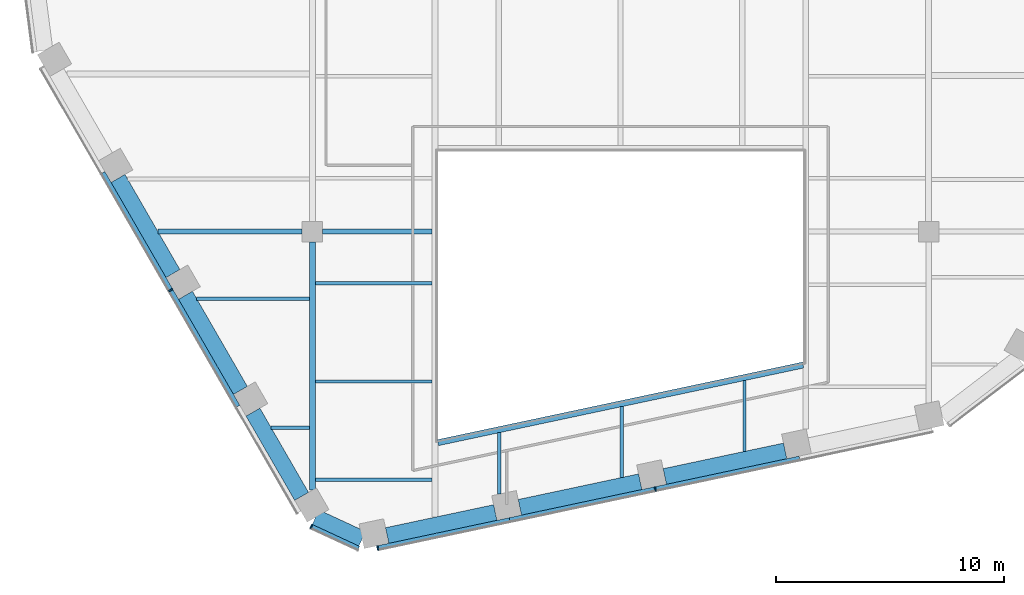
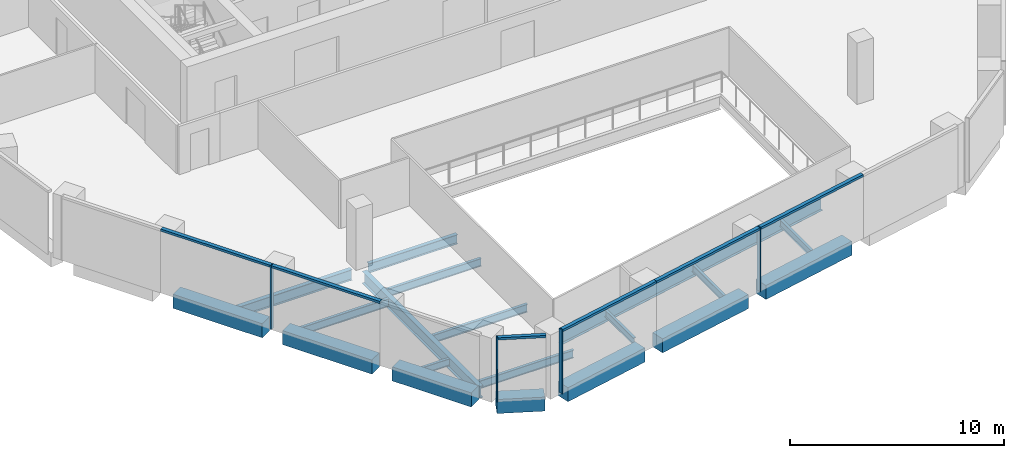
# One storey, part 2 of 15: 19 beams, 10 members, 3 elements without a shape of their own.
"""IFC4 building model written with IfcOpenShell, lengths in metres."""

from ifc_helpers import new_model, si_unit, direction, frame, origin, origin_2d, place, context, subcontext, project, spatial, rectangle, i_section, extrude, material, layer, layer_set, material_profile, profile_set, type_object, element, aggregate, save


model = new_model("IFC4")

# Units and contexts
model_context = context("Model", 3, precision=1e-05, world=origin(), true_north=direction((0.0, 1.0)))
body_context = subcontext(model_context, "Body", "Model", "MODEL_VIEW")
ifc_project = project(units=[si_unit("LENGTHUNIT", "METRE"), si_unit("AREAUNIT", "SQUARE_METRE"), si_unit("VOLUMEUNIT", "CUBIC_METRE"), si_unit("PLANEANGLEUNIT", "RADIAN"), si_unit("MASSUNIT", "GRAM", prefix="KILO")], contexts=[model_context])

# Site, building, storey
site_placement = place(None, origin())
site = spatial("IfcSite", under=ifc_project, at=site_placement, CompositionType="ELEMENT")
building_placement = place(site_placement, origin())
building = spatial("IfcBuilding", under=site, at=building_placement, Name="Isthmus Gate Tower", CompositionType="ELEMENT")
storey_placement = place(building_placement, frame((0.0, 0.0, 230.89990234375)))
storey = spatial("IfcBuildingStorey", under=building, at=storey_placement, Name="L58", CompositionType="ELEMENT", Elevation=230.89990234375)

# Curtain wall, member
ifc_material_1 = material(Name="Aluminium, pale champagne anodised", Category="aluminium")
ifc_layer = layer(ifc_material_1, 0.199951171875)
ifc_layer_set = layer_set([ifc_layer], Name="CW-1 UNITISED CURTAIN WALL 200 DEEP")
curtain_wall_type = type_object("IfcCurtainWallType", Name="CW-1 UNITISED CURTAIN WALL 200 DEEP", PredefinedType="NOTDEFINED", material=ifc_layer_set)
curtain_wall_1_placement = place(storey_placement, origin())
curtain_wall_1 = element("IfcCurtainWall", 1, at=curtain_wall_1_placement, inside=storey, type_object=curtain_wall_type, Name="CW-1 SW L58", PredefinedType="NOTDEFINED")
ifc_material_2 = material(Name="Aluminium, pale champagne anodised", Category="aluminium")
ifc_material_profile_1 = material_profile(ifc_material_2, rectangle(XDim=0.06005859375, YDim=0.199951171875, at=origin_2d()), Name="60x200")
ifc_profile_set_1 = profile_set([ifc_material_profile_1], Name="Aluminium, pale champagne anodised")
member_type_1 = type_object("IfcMemberType", Name="CW-1 MULLION 60 X 200", PredefinedType="MULLION", material=ifc_profile_set_1)
member_1_placement = place(storey_placement, frame((-19.707275390625, -16.066162109375, 0.0), z_axis=(0.0, 0.0, 1.0), x_axis=(0.5, -0.866025403784, 0.0)))
member_1 = element("IfcMember", 2, at=member_1_placement, type_object=member_type_1, Name="CW-1 mullion", PredefinedType="MULLION", context=body_context, shape_type="SweptSolid", body=[
    extrude(rectangle(XDim=0.06005859375, YDim=0.199951171875, at=origin_2d()), origin(), (0.0, 0.0, 1.0), 3.650146484375),
])

curtain_wall_2_placement = place(storey_placement, origin())
curtain_wall_2 = element("IfcCurtainWall", 3, at=curtain_wall_2_placement, inside=storey, type_object=curtain_wall_type, Name="CW-1 SW-S L58", PredefinedType="NOTDEFINED")
member_2_placement = place(storey_placement, frame((-13.54833984375, -26.419677734375, 0.0), z_axis=(0.0, 0.0, 1.0), x_axis=(0.907256261367, -0.420578264073, 0.0)))
member_2 = element("IfcMember", 4, at=member_2_placement, type_object=member_type_1, Name="CW-1 mullion", PredefinedType="MULLION", context=body_context, shape_type="SweptSolid", body=[
    extrude(rectangle(XDim=0.06005859375, YDim=0.199951171875, at=origin_2d()), origin(), (0.0, 0.0, 1.0), 3.650146484375),
])

# Curtain wall, members
curtain_wall_3_placement = place(storey_placement, origin())
curtain_wall_3 = element("IfcCurtainWall", 5, at=curtain_wall_3_placement, inside=storey, type_object=curtain_wall_type, Name="CW-1 S L58", PredefinedType="NOTDEFINED")
member_3_placement = place(storey_placement, frame((-10.6376953125, -27.36328125, 0.0), z_axis=(0.0, 0.0, 1.0), x_axis=(0.978147600734, 0.207911690818, 0.0)))
member_3 = element("IfcMember", 6, at=member_3_placement, type_object=member_type_1, Name="CW-1 mullion", PredefinedType="MULLION", context=body_context, shape_type="SweptSolid", body=[
    extrude(rectangle(XDim=0.06005859375, YDim=0.199951171875, at=origin_2d()), origin(), (0.0, 0.0, 1.0), 3.650146484375),
])
member_4_placement = place(storey_placement, frame((1.5244140625, -24.7783203125, 0.0), z_axis=(0.0, 0.0, 1.0), x_axis=(0.978147600734, 0.207911690818, 0.0)))
member_4 = element("IfcMember", 7, at=member_4_placement, type_object=member_type_1, Name="CW-1 mullion", PredefinedType="MULLION", context=body_context, shape_type="SweptSolid", body=[
    extrude(rectangle(XDim=0.06005859375, YDim=0.199951171875, at=origin_2d()), origin(), (0.0, 0.0, 1.0), 3.650146484375),
])

# Member
ifc_material_3 = material(Name="Aluminium, pale champagne anodised", Category="aluminium")
ifc_material_profile_2 = material_profile(ifc_material_3, rectangle(XDim=0.199951171875, YDim=0.1298828125, at=origin_2d()), Name="200x130")
ifc_profile_set_2 = profile_set([ifc_material_profile_2], Name="Aluminium, pale champagne anodised")
member_type_2 = type_object("IfcMemberType", Name="CW-1 TRANSOM 200 X 130", PredefinedType="USERDEFINED", material=ifc_profile_set_2)
member_5_placement = place(storey_placement, frame((-22.677490234375, -10.92138671875, 3.585205078125), z_axis=(0.500008496284, -0.866020498397, 0.0), x_axis=(0.866020498397, 0.500008496284, 0.0)))
member_5 = element("IfcMember", 8, at=member_5_placement, type_object=member_type_2, Name="CW-1 transom", ObjectType="TRANSOM", PredefinedType="USERDEFINED", context=body_context, shape_type="SweptSolid", body=[
    extrude(rectangle(XDim=0.199951171875, YDim=0.1298828125, at=origin_2d()), origin(), (0.0, 0.0, 1.0), 5.91064453125),
])

member_6_placement = place(storey_placement, frame((-19.692138671875, -16.092041015625, 3.585205078125), z_axis=(0.49998975084, -0.866031321059, 0.0), x_axis=(0.866031321059, 0.49998975084, 0.0)))
member_6 = element("IfcMember", 9, at=member_6_placement, type_object=member_type_2, Name="CW-1 transom", ObjectType="TRANSOM", PredefinedType="USERDEFINED", context=body_context, shape_type="SweptSolid", body=[
    extrude(rectangle(XDim=0.199951171875, YDim=0.1298828125, at=origin_2d()), origin(), (0.0, 0.0, 1.0), 5.8505859375),
])

aggregate(curtain_wall_1, [member_5, member_1, member_6])

member_7_placement = place(storey_placement, frame((-13.521240234375, -26.432373046875, 3.585205078125), z_axis=(0.907246225564, -0.420599912268, 0.0), x_axis=(0.420599912268, 0.907246225564, 0.0)))
member_7 = element("IfcMember", 10, at=member_7_placement, type_object=member_type_2, Name="CW-1 transom", ObjectType="TRANSOM", PredefinedType="USERDEFINED", context=body_context, shape_type="SweptSolid", body=[
    extrude(rectangle(XDim=0.199951171875, YDim=0.1298828125, at=origin_2d()), origin(), (0.0, 0.0, 1.0), 2.258544921875),
])

aggregate(curtain_wall_2, [member_2, member_7])

member_8_placement = place(storey_placement, frame((-10.6083984375, -27.357177734375, 3.585205078125), z_axis=(0.978148511799, 0.207907404549, 0.0), x_axis=(-0.207907404549, 0.978148511799, 0.0)))
member_8 = element("IfcMember", 11, at=member_8_placement, type_object=member_type_2, Name="CW-1 transom", ObjectType="TRANSOM", PredefinedType="USERDEFINED", context=body_context, shape_type="SweptSolid", body=[
    extrude(rectangle(XDim=0.199951171875, YDim=0.1298828125, at=origin_2d()), origin(), (0.0, 0.0, 1.0), 5.8818359375),
])

member_9_placement = place(storey_placement, frame((-4.85498046875, -26.13427734375, 3.585205078125), z_axis=(0.978142886198, 0.207933869729, 0.0), x_axis=(-0.207933869729, 0.978142886198, 0.0)))
member_9 = element("IfcMember", 12, at=member_9_placement, type_object=member_type_2, Name="CW-1 transom", ObjectType="TRANSOM", PredefinedType="USERDEFINED", context=body_context, shape_type="SweptSolid", body=[
    extrude(rectangle(XDim=0.199951171875, YDim=0.1298828125, at=origin_2d()), origin(), (0.0, 0.0, 1.0), 6.49169921875),
])

member_10_placement = place(storey_placement, frame((1.5537109375, -24.77197265625, 3.585205078125), z_axis=(0.978150457162, 0.207898251926, 0.0), x_axis=(-0.207898251926, 0.978150457162, 0.0)))
member_10 = element("IfcMember", 13, at=member_10_placement, type_object=member_type_2, Name="CW-1 transom", ObjectType="TRANSOM", PredefinedType="USERDEFINED", context=body_context, shape_type="SweptSolid", body=[
    extrude(rectangle(XDim=0.199951171875, YDim=0.1298828125, at=origin_2d()), origin(), (0.0, 0.0, 1.0), 6.431884765625),
])

aggregate(curtain_wall_3, [member_3, member_8, member_9, member_4, member_10])

# Beams
ifc_material_4 = material(Name="Concrete f'c 50 MPa", Category="concrete")
ifc_material_profile_3 = material_profile(ifc_material_4, rectangle(XDim=0.699951171875, YDim=0.800048828125, at=origin_2d()), Name="RC 700X800")
ifc_profile_set_3 = profile_set([ifc_material_profile_3], Name="Concrete f'c 50 MPa")
beam_type_1 = type_object("IfcBeamType", Name="RC SPANDREL 700 X 800", PredefinedType="SPANDREL", material=ifc_profile_set_3)
for number, where, z_axis, x_axis, name in (
    (14, (7.21337890625, -23.10888671875, -0.39990234375), (-0.978144348563, -0.207926990492, 0.0), (0.207926990492, -0.978144348563, 0.0), "str-spandrel-L58-12"),
    (15, (0.863525390625, -24.458740234375, -0.39990234375), (-0.978155513612, -0.207874460167, 0.0), (0.207874460167, -0.978155513612, 0.0), "str-spandrel-L58-13"),
):
    element("IfcBeam", number, at=place(storey_placement, frame(where, z_axis=z_axis, x_axis=x_axis)), inside=storey, type_object=beam_type_1, Name=name, PredefinedType="SPANDREL", context=body_context, shape_type="SweptSolid", body=[
        extrude(rectangle(XDim=0.699951171875, YDim=0.800048828125, at=origin_2d()), origin(), (0.0, 0.0, 1.0), 5.391845703125),
    ])
beam_1_placement = place(storey_placement, frame((-5.486572265625, -25.808349609375, -0.39990234375), z_axis=(-0.978141291228, -0.207941372495, 0.0), x_axis=(0.207941372495, -0.978141291228, 0.0)))
element("IfcBeam", 16, at=beam_1_placement, inside=storey, type_object=beam_type_1, Name="str-spandrel-L58-14", PredefinedType="SPANDREL", context=body_context, shape_type="SweptSolid", body=[
    extrude(rectangle(XDim=0.699951171875, YDim=0.800048828125, at=origin_2d()), origin(), (0.0, 0.0, 1.0), 4.842041015625),
])
beam_2_placement = place(storey_placement, frame((-11.31689453125, -26.958251953125, -0.39990234375), z_axis=(-0.907254968276, 0.42058105347, 0.0), x_axis=(-0.42058105347, -0.907254968276, 0.0)))
element("IfcBeam", 17, at=beam_2_placement, inside=storey, type_object=beam_type_1, Name="str-spandrel-L58-15", PredefinedType="SPANDREL", context=body_context, shape_type="SweptSolid", body=[
    extrude(rectangle(XDim=0.699951171875, YDim=0.800048828125, at=origin_2d()), origin(), (0.0, 0.0, 1.0), 2.245849609375),
])
beam_3_placement = place(storey_placement, frame((-13.971923828125, -25.10009765625, -0.39990234375), z_axis=(-0.499996907167, 0.866027189425, 0.0), x_axis=(-0.866027189425, -0.499996907167, 0.0)))
element("IfcBeam", 18, at=beam_3_placement, inside=storey, type_object=beam_type_1, Name="str-spandrel-L58-16", PredefinedType="SPANDREL", context=body_context, shape_type="SweptSolid", body=[
    extrude(rectangle(XDim=0.699951171875, YDim=0.800048828125, at=origin_2d()), origin(), (0.0, 0.0, 1.0), 4.2607421875),
])
for number, where, z_axis, x_axis, name in (
    (19, (-16.652099609375, -20.45751953125, -0.39990234375), (-0.500003616288, 0.866023315909, 0.0), (-0.866023315909, -0.500003616288, 0.0), "str-spandrel-L58-17"),
    (20, (-19.607421875, -15.3388671875, -0.39990234375), (-0.500003616288, 0.866023315909, 0.0), (-0.866023315909, -0.500003616288, 0.0), "str-spandrel-L58-18"),
):
    element("IfcBeam", number, at=place(storey_placement, frame(where, z_axis=z_axis, x_axis=x_axis)), inside=storey, type_object=beam_type_1, Name=name, PredefinedType="SPANDREL", context=body_context, shape_type="SweptSolid", body=[
        extrude(rectangle(XDim=0.699951171875, YDim=0.800048828125, at=origin_2d()), origin(), (0.0, 0.0, 1.0), 4.810546875),
    ])
ifc_material_5 = material(Name="Structural steel ASTM A992 Gr 50", Category="steel")
ifc_material_profile_4 = material_profile(ifc_material_5, i_section(OverallWidth=0.1396484375, OverallDepth=0.4033203125, WebThickness=0.00634765625, FlangeThickness=0.010986328125, at=origin_2d()), Name="W16X31")
ifc_profile_set_4 = profile_set([ifc_material_profile_4], Name="Structural steel ASTM A992 Gr 50")
beam_type_2 = type_object("IfcBeamType", Name="STEEL FLOOR BEAM W16X31", PredefinedType="JOIST", material=ifc_profile_set_4)
beam_4_placement = place(storey_placement, frame((-15.30126953125, -22.097412109375, -0.3515625), z_axis=(1.0, 0.0, 0.0), x_axis=(0.0, 1.0, 0.0)))
element("IfcBeam", 21, at=beam_4_placement, inside=storey, type_object=beam_type_2, Name="str-beam-L58-02-00", PredefinedType="JOIST", context=body_context, shape_type="SweptSolid", body=[
    extrude(i_section(OverallWidth=0.1396484375, OverallDepth=0.4033203125, WebThickness=0.00634765625, FlangeThickness=0.010986328125, at=origin_2d()), origin(), (0.0, 0.0, 1.0), 1.67431640625),
])
beam_5_placement = place(storey_placement, frame((-5.314208984375, -25.005126953125, -0.3515625), z_axis=(0.0, 1.0, 0.0), x_axis=(-1.0, 0.0, 0.0)))
element("IfcBeam", 22, at=beam_5_placement, inside=storey, type_object=beam_type_2, Name="str-beam-L58-06-00", PredefinedType="JOIST", context=body_context, shape_type="SweptSolid", body=[
    extrude(i_section(OverallWidth=0.1396484375, OverallDepth=0.4033203125, WebThickness=0.00634765625, FlangeThickness=0.010986328125, at=origin_2d()), origin(), (0.0, 0.0, 1.0), 2.692138671875),
])
for number, where, z_axis, x_axis, name in (
    (23, (0.05712890625, -24.272216796875, -0.3515625), (0.0, 1.0, 0.0), (-1.0, 0.0, 0.0), "str-beam-L58-06-01"),
    (24, (5.428466796875, -23.13037109375, -0.3515625), (0.0, 1.0, 0.0), (-1.0, 0.0, 0.0), "str-beam-L58-06-02"),
):
    element("IfcBeam", number, at=place(storey_placement, frame(where, z_axis=z_axis, x_axis=x_axis)), inside=storey, type_object=beam_type_2, Name=name, PredefinedType="JOIST", context=body_context, shape_type="SweptSolid", body=[
        extrude(i_section(OverallWidth=0.1396484375, OverallDepth=0.4033203125, WebThickness=0.00634765625, FlangeThickness=0.010986328125, at=origin_2d()), origin(), (0.0, 0.0, 1.0), 3.10107421875),
    ])
ifc_material_6 = material(Name="Structural steel ASTM A992 Gr 50", Category="steel")
ifc_material_profile_5 = material_profile(ifc_material_6, i_section(OverallWidth=0.15234375, OverallDepth=0.45068359375, WebThickness=0.0078125, FlangeThickness=0.010986328125, at=origin_2d()), Name="W18X35")
ifc_profile_set_5 = profile_set([ifc_material_profile_5], Name="Structural steel ASTM A992 Gr 50")
beam_type_3 = type_object("IfcBeamType", Name="STEEL FLOOR BEAM W18X35", PredefinedType="JOIST", material=ifc_profile_set_5)
beam_6_placement = place(storey_placement, frame((-18.56640625, -16.44189453125, -0.375244140625), z_axis=(1.0, 0.0, 0.0), x_axis=(0.0, 1.0, 0.0)))
element("IfcBeam", 25, at=beam_6_placement, inside=storey, type_object=beam_type_3, Name="str-beam-L58-02-01", PredefinedType="JOIST", context=body_context, shape_type="SweptSolid", body=[
    extrude(i_section(OverallWidth=0.15234375, OverallDepth=0.45068359375, WebThickness=0.0078125, FlangeThickness=0.010986328125, at=origin_2d()), origin(), (0.0, 0.0, 1.0), 4.939453125),
])
for number, where, z_axis, x_axis, name in (
    (26, (-13.373046875, -24.3759765625, -0.375244140625), (1.0, 0.0, 0.0), (0.0, 1.0, 0.0), "str-beam-L58-04-00"),
    (27, (-13.373046875, -20.0673828125, -0.375244140625), (1.0, 0.0, 0.0), (0.0, 1.0, 0.0), "str-beam-L58-04-01"),
    (28, (-13.373046875, -15.759033203125, -0.375244140625), (1.0, 0.0, 0.0), (0.0, 1.0, 0.0), "str-beam-L58-04-02"),
):
    element("IfcBeam", number, at=place(storey_placement, frame(where, z_axis=z_axis, x_axis=x_axis)), inside=storey, type_object=beam_type_3, Name=name, PredefinedType="JOIST", context=body_context, shape_type="SweptSolid", body=[
        extrude(i_section(OverallWidth=0.15234375, OverallDepth=0.45068359375, WebThickness=0.0078125, FlangeThickness=0.010986328125, at=origin_2d()), origin(), (0.0, 0.0, 1.0), 5.109619140625),
    ])
ifc_material_7 = material(Name="Structural steel ASTM A992 Gr 50", Category="steel")
ifc_material_profile_6 = material_profile(ifc_material_7, i_section(OverallWidth=0.20947265625, OverallDepth=0.533447265625, WebThickness=0.009521484375, FlangeThickness=0.015869140625, at=origin_2d()), Name="W21X62")
ifc_profile_set_6 = profile_set([ifc_material_profile_6], Name="Structural steel ASTM A992 Gr 50")
beam_type_4 = type_object("IfcBeamType", Name="STEEL GIRDER W21X62", PredefinedType="BEAM", material=ifc_profile_set_6)
beam_7_placement = place(storey_placement, frame((-13.050048828125, -13.5, -0.41650390625), z_axis=(1.0, 0.0, 0.0), x_axis=(0.0, 1.0, 0.0)))
element("IfcBeam", 29, at=beam_7_placement, inside=storey, type_object=beam_type_4, Name="str-girder-L58-02", PredefinedType="BEAM", context=body_context, shape_type="SweptSolid", body=[
    extrude(i_section(OverallWidth=0.20947265625, OverallDepth=0.533447265625, WebThickness=0.009521484375, FlangeThickness=0.015869140625, at=origin_2d()), origin(), (0.0, 0.0, 1.0), 4.78662109375),
])
ifc_material_8 = material(Name="Structural steel ASTM A992 Gr 50", Category="steel")
ifc_material_profile_7 = material_profile(ifc_material_8, i_section(OverallWidth=0.228515625, OverallDepth=0.603271484375, WebThickness=0.010986328125, FlangeThickness=0.014404296875, at=origin_2d()), Name="W24X68")
ifc_profile_set_7 = profile_set([ifc_material_profile_7], Name="Structural steel ASTM A992 Gr 50")
beam_type_5 = type_object("IfcBeamType", Name="STEEL GIRDER W24X68", PredefinedType="BEAM", material=ifc_profile_set_7)
beam_8_placement = place(storey_placement, frame((-20.264892578125, -13.5, -0.451416015625), z_axis=(1.0, 0.0, 0.0), x_axis=(0.0, 1.0, 0.0)))
element("IfcBeam", 30, at=beam_8_placement, inside=storey, type_object=beam_type_5, Name="str-girder-L58-01", PredefinedType="BEAM", context=body_context, shape_type="SweptSolid", body=[
    extrude(i_section(OverallWidth=0.228515625, OverallDepth=0.603271484375, WebThickness=0.010986328125, FlangeThickness=0.014404296875, at=origin_2d()), origin(), (0.0, 0.0, 1.0), 6.31494140625),
])
ifc_material_9 = material(Name="Structural steel ASTM A992 Gr 50", Category="steel")
ifc_material_profile_8 = material_profile(ifc_material_9, i_section(OverallWidth=0.25390625, OverallDepth=0.679443359375, WebThickness=0.010986328125, FlangeThickness=0.015869140625, at=origin_2d()), Name="W27X84")
ifc_profile_set_8 = profile_set([ifc_material_profile_8], Name="Structural steel ASTM A992 Gr 50")
beam_type_6 = type_object("IfcBeamType", Name="STEEL GIRDER W27X84", PredefinedType="BEAM", material=ifc_profile_set_8)
beam_9_placement = place(storey_placement, frame((-13.5, -24.82763671875, -0.489501953125), z_axis=(0.0, 1.0, 0.0), x_axis=(-1.0, 0.0, 0.0)))
element("IfcBeam", 31, at=beam_9_placement, inside=storey, type_object=beam_type_6, Name="str-girder-L58-05", PredefinedType="BEAM", context=body_context, shape_type="SweptSolid", body=[
    extrude(i_section(OverallWidth=0.25390625, OverallDepth=0.679443359375, WebThickness=0.010986328125, FlangeThickness=0.015869140625, at=origin_2d()), origin(), (0.0, 0.0, 1.0), 10.877685546875),
])
ifc_material_10 = material(Name="Structural steel ASTM A992 Gr 50", Category="steel")
ifc_material_profile_9 = material_profile(ifc_material_10, i_section(OverallWidth=0.2666015625, OverallDepth=0.7587890625, WebThickness=0.014404296875, FlangeThickness=0.01904296875, at=origin_2d()), Name="W30X108")
ifc_profile_set_9 = profile_set([ifc_material_profile_9], Name="Structural steel ASTM A992 Gr 50")
beam_type_7 = type_object("IfcBeamType", Name="STEEL TRIMMER W30X108", PredefinedType="BEAM", material=ifc_profile_set_9)
beam_10_placement = place(storey_placement, frame((-8.0, -22.747314453125, -0.529296875), z_axis=(0.978147924985, 0.20791016533, 0.0), x_axis=(-0.20791016533, 0.978147924985, 0.0)))
element("IfcBeam", 32, at=beam_10_placement, inside=storey, type_object=beam_type_7, Name="str-trimmer-L58-03", PredefinedType="BEAM", context=body_context, shape_type="SweptSolid", body=[
    extrude(i_section(OverallWidth=0.2666015625, OverallDepth=0.7587890625, WebThickness=0.014404296875, FlangeThickness=0.01904296875, at=origin_2d()), origin(), (0.0, 0.0, 1.0), 16.357421875),
])

save(model, "model.ifc")
